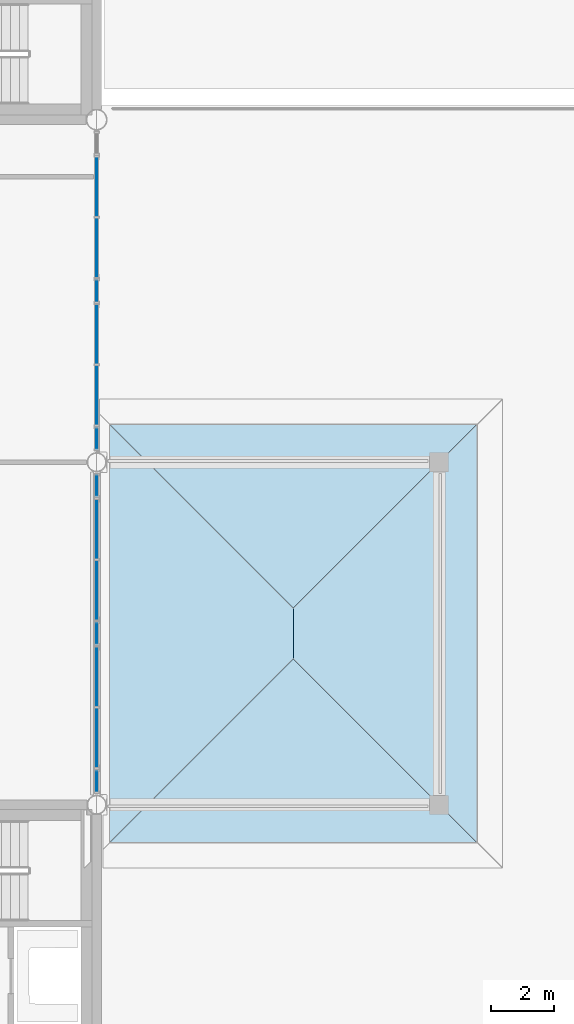
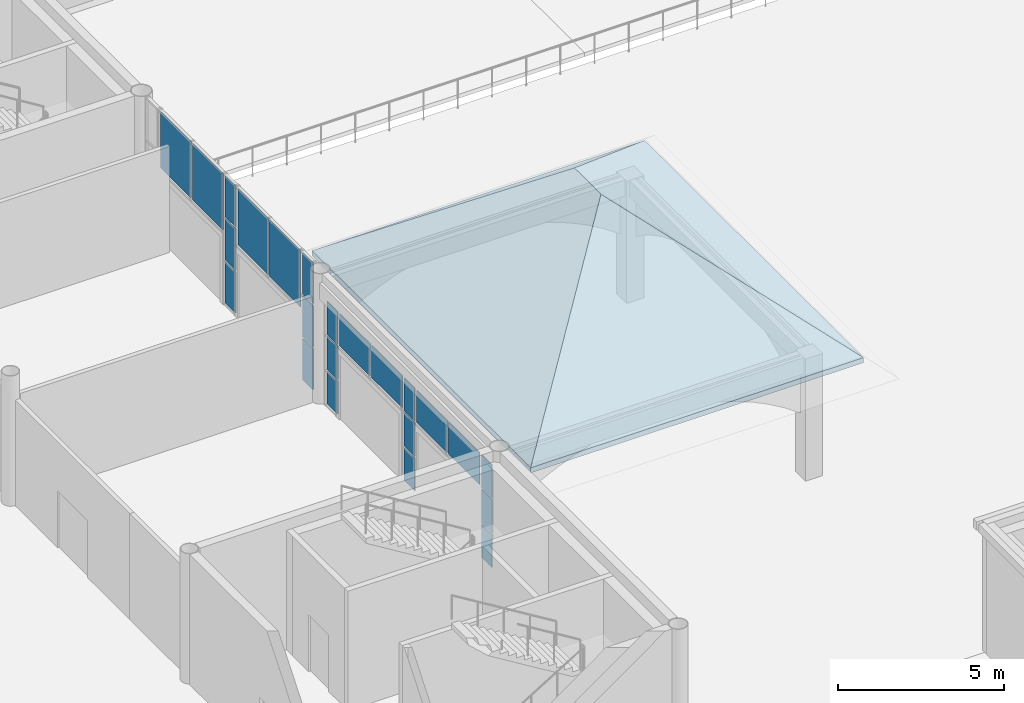
# One storey, part 39 of 91: 23 plates, 4 slabs, 9 elements without a shape of their own.
"""IFC4 building model written with IfcOpenShell, lengths in metres."""

from ifc_helpers import new_model, si_unit, direction, frame, origin, origin_2d, place, context, subcontext, project, spatial, polyline, rectangle, outline, extrude, material, layer, layer_set, type_object, element, aggregate, save


model = new_model("IFC4")

# Units and contexts
model_context = context("Model", 3, precision=1e-05, world=origin(), true_north=direction((0.0, 1.0)))
body_context = subcontext(model_context, "Body", "Model", "MODEL_VIEW")
ifc_project = project(units=[si_unit("LENGTHUNIT", "METRE"), si_unit("AREAUNIT", "SQUARE_METRE"), si_unit("VOLUMEUNIT", "CUBIC_METRE"), si_unit("PLANEANGLEUNIT", "RADIAN"), si_unit("MASSUNIT", "GRAM", prefix="KILO")], contexts=[model_context])

# Site, building, storey
site_placement = place(None, origin())
site = spatial("IfcSite", under=ifc_project, at=site_placement, CompositionType="ELEMENT")
building_placement = place(site_placement, origin())
building = spatial("IfcBuilding", under=site, at=building_placement, Name="Magnolia Steps Interchange", CompositionType="ELEMENT")
storey_placement = place(building_placement, origin())
storey = spatial("IfcBuildingStorey", under=building, at=storey_placement, Name="L00", CompositionType="ELEMENT", Elevation=0.0)

# Curtain wall, plates
ifc_material_1 = material(Name="Powder-coated aluminium and glass", Category="aluminium")
ifc_layer_1 = layer(ifc_material_1, 0.14990234375)
ifc_layer_set_1 = layer_set([ifc_layer_1], Name="Glazed hall curtain wall")
curtain_wall_type = type_object("IfcCurtainWallType", Name="Glazed hall curtain wall", PredefinedType="NOTDEFINED", material=ifc_layer_set_1)
curtain_wall_1_placement = place(storey_placement, origin())
curtain_wall_1 = element("IfcCurtainWall", 1, at=curtain_wall_1_placement, inside=storey, type_object=curtain_wall_type, Name="Hall glazing E2a L00", PredefinedType="NOTDEFINED")
ifc_material_2 = material(Name="Laminated glass", Category="glass")
ifc_layer_2 = layer(ifc_material_2, 0.028076171875)
ifc_layer_set_2 = layer_set([ifc_layer_2], Name="Glass panel 28")
plate_type = type_object("IfcPlateType", Name="Glass panel 28", PredefinedType="CURTAIN_PANEL", material=ifc_layer_set_2)
plate_1_placement = place(storey_placement, frame((118.0, 53.93994140625, 0.06005859375), z_axis=(0.0, 0.0, 1.0), x_axis=(0.0, 1.0, 0.0)))
plate_1 = element("IfcPlate", 2, at=plate_1_placement, type_object=plate_type, Name="CW1 panel 1.1", PredefinedType="CURTAIN_PANEL", context=body_context, shape_type="SweptSolid", body=[
    extrude(rectangle(XDim=0.639892578125, YDim=0.028076171875, at=origin_2d()), origin(), (0.0, 0.0, 1.0), 1.2099609375),
])
plate_2_placement = place(storey_placement, frame((118.0, 53.93994140625, 1.330078125), z_axis=(0.0, 0.0, 1.0), x_axis=(0.0, 1.0, 0.0)))
plate_2 = element("IfcPlate", 3, at=plate_2_placement, type_object=plate_type, Name="CW1 panel 1.2", PredefinedType="CURTAIN_PANEL", context=body_context, shape_type="SweptSolid", body=[
    extrude(rectangle(XDim=0.639892578125, YDim=0.028076171875, at=origin_2d()), origin(), (0.0, 0.0, 1.0), 1.239990234375),
])
plate_3_placement = place(storey_placement, frame((118.0, 53.93994140625, 2.630126953125), z_axis=(0.0, 0.0, 1.0), x_axis=(0.0, 1.0, 0.0)))
plate_3 = element("IfcPlate", 4, at=plate_3_placement, type_object=plate_type, Name="CW1 panel 1.3", PredefinedType="CURTAIN_PANEL", context=body_context, shape_type="SweptSolid", body=[
    extrude(rectangle(XDim=0.639892578125, YDim=0.028076171875, at=origin_2d()), origin(), (0.0, 0.0, 1.0), 1.2099609375),
])
aggregate(curtain_wall_1, [plate_1, plate_2, plate_3])

curtain_wall_2_placement = place(storey_placement, origin())
curtain_wall_2 = element("IfcCurtainWall", 5, at=curtain_wall_2_placement, inside=storey, type_object=curtain_wall_type, Name="Hall entrance fanlight E2-1", PredefinedType="NOTDEFINED")
plate_4_placement = place(storey_placement, frame((118.0, 55.31005859375, 2.66015625), z_axis=(0.0, 0.0, 1.0), x_axis=(0.0, 1.0, 0.0)))
plate_4 = element("IfcPlate", 6, at=plate_4_placement, type_object=plate_type, Name="CW1 panel 1.1", PredefinedType="CURTAIN_PANEL", context=body_context, shape_type="SweptSolid", body=[
    extrude(rectangle(XDim=1.860107421875, YDim=0.028076171875, at=origin_2d()), origin(), (0.0, 0.0, 1.0), 1.179931640625),
])
plate_5_placement = place(storey_placement, frame((118.0, 57.22998046875, 2.66015625), z_axis=(0.0, 0.0, 1.0), x_axis=(0.0, 1.0, 0.0)))
plate_5 = element("IfcPlate", 7, at=plate_5_placement, type_object=plate_type, Name="CW1 panel 2.1", PredefinedType="CURTAIN_PANEL", context=body_context, shape_type="SweptSolid", body=[
    extrude(rectangle(XDim=1.860107421875, YDim=0.028076171875, at=origin_2d()), origin(), (0.0, 0.0, 1.0), 1.179931640625),
])
aggregate(curtain_wall_2, [plate_4, plate_5])

curtain_wall_3_placement = place(storey_placement, origin())
curtain_wall_3 = element("IfcCurtainWall", 8, at=curtain_wall_3_placement, inside=storey, type_object=curtain_wall_type, Name="Hall glazing E2b L00", PredefinedType="NOTDEFINED")
plate_6_placement = place(storey_placement, frame((118.0, 58.60009765625, 0.06005859375), z_axis=(0.0, 0.0, 1.0), x_axis=(0.0, 1.0, 0.0)))
plate_6 = element("IfcPlate", 9, at=plate_6_placement, type_object=plate_type, Name="CW1 panel 1.1", PredefinedType="CURTAIN_PANEL", context=body_context, shape_type="SweptSolid", body=[
    extrude(rectangle(XDim=0.639892578125, YDim=0.028076171875, at=origin_2d()), origin(), (0.0, 0.0, 1.0), 1.2099609375),
])
plate_7_placement = place(storey_placement, frame((118.0, 58.60009765625, 1.330078125), z_axis=(0.0, 0.0, 1.0), x_axis=(0.0, 1.0, 0.0)))
plate_7 = element("IfcPlate", 10, at=plate_7_placement, type_object=plate_type, Name="CW1 panel 1.2", PredefinedType="CURTAIN_PANEL", context=body_context, shape_type="SweptSolid", body=[
    extrude(rectangle(XDim=0.639892578125, YDim=0.028076171875, at=origin_2d()), origin(), (0.0, 0.0, 1.0), 1.239990234375),
])
plate_8_placement = place(storey_placement, frame((118.0, 58.60009765625, 2.630126953125), z_axis=(0.0, 0.0, 1.0), x_axis=(0.0, 1.0, 0.0)))
plate_8 = element("IfcPlate", 11, at=plate_8_placement, type_object=plate_type, Name="CW1 panel 1.3", PredefinedType="CURTAIN_PANEL", context=body_context, shape_type="SweptSolid", body=[
    extrude(rectangle(XDim=0.639892578125, YDim=0.028076171875, at=origin_2d()), origin(), (0.0, 0.0, 1.0), 1.2099609375),
])
aggregate(curtain_wall_3, [plate_6, plate_7, plate_8])

curtain_wall_4_placement = place(storey_placement, origin())
curtain_wall_4 = element("IfcCurtainWall", 12, at=curtain_wall_4_placement, inside=storey, type_object=curtain_wall_type, Name="Hall entrance fanlight E2-2", PredefinedType="NOTDEFINED")
plate_9_placement = place(storey_placement, frame((118.0, 59.969970703125, 2.66015625), z_axis=(0.0, 0.0, 1.0), x_axis=(0.0, 1.0, 0.0)))
plate_9 = element("IfcPlate", 13, at=plate_9_placement, type_object=plate_type, Name="CW1 panel 1.1", PredefinedType="CURTAIN_PANEL", context=body_context, shape_type="SweptSolid", body=[
    extrude(rectangle(XDim=1.860107421875, YDim=0.028076171875, at=origin_2d()), origin(), (0.0, 0.0, 1.0), 1.179931640625),
])
plate_10_placement = place(storey_placement, frame((118.0, 61.889892578125, 2.66015625), z_axis=(0.0, 0.0, 1.0), x_axis=(0.0, 1.0, 0.0)))
plate_10 = element("IfcPlate", 14, at=plate_10_placement, type_object=plate_type, Name="CW1 panel 2.1", PredefinedType="CURTAIN_PANEL", context=body_context, shape_type="SweptSolid", body=[
    extrude(rectangle(XDim=1.860107421875, YDim=0.028076171875, at=origin_2d()), origin(), (0.0, 0.0, 1.0), 1.179931640625),
])
aggregate(curtain_wall_4, [plate_9, plate_10])

curtain_wall_5_placement = place(storey_placement, origin())
curtain_wall_5 = element("IfcCurtainWall", 15, at=curtain_wall_5_placement, inside=storey, type_object=curtain_wall_type, Name="Hall glazing E2z L00", PredefinedType="NOTDEFINED")
plate_11_placement = place(storey_placement, frame((118.0, 63.260009765625, 0.06005859375), z_axis=(0.0, 0.0, 1.0), x_axis=(0.0, 1.0, 0.0)))
plate_11 = element("IfcPlate", 16, at=plate_11_placement, type_object=plate_type, Name="CW1 panel 1.1", PredefinedType="CURTAIN_PANEL", context=body_context, shape_type="SweptSolid", body=[
    extrude(rectangle(XDim=0.639892578125, YDim=0.028076171875, at=origin_2d()), origin(), (0.0, 0.0, 1.0), 1.2099609375),
])
plate_12_placement = place(storey_placement, frame((118.0, 63.260009765625, 1.330078125), z_axis=(0.0, 0.0, 1.0), x_axis=(0.0, 1.0, 0.0)))
plate_12 = element("IfcPlate", 17, at=plate_12_placement, type_object=plate_type, Name="CW1 panel 1.2", PredefinedType="CURTAIN_PANEL", context=body_context, shape_type="SweptSolid", body=[
    extrude(rectangle(XDim=0.639892578125, YDim=0.028076171875, at=origin_2d()), origin(), (0.0, 0.0, 1.0), 1.239990234375),
])
plate_13_placement = place(storey_placement, frame((118.0, 63.260009765625, 2.630126953125), z_axis=(0.0, 0.0, 1.0), x_axis=(0.0, 1.0, 0.0)))
plate_13 = element("IfcPlate", 18, at=plate_13_placement, type_object=plate_type, Name="CW1 panel 1.3", PredefinedType="CURTAIN_PANEL", context=body_context, shape_type="SweptSolid", body=[
    extrude(rectangle(XDim=0.639892578125, YDim=0.028076171875, at=origin_2d()), origin(), (0.0, 0.0, 1.0), 1.2099609375),
])
aggregate(curtain_wall_5, [plate_11, plate_12, plate_13])

curtain_wall_6_placement = place(storey_placement, origin())
curtain_wall_6 = element("IfcCurtainWall", 19, at=curtain_wall_6_placement, inside=storey, type_object=curtain_wall_type, Name="Hall glazing E3a L00", PredefinedType="NOTDEFINED")
plate_14_placement = place(storey_placement, frame((118.0, 64.739990234375, 0.06005859375), z_axis=(0.0, 0.0, 1.0), x_axis=(0.0, 1.0, 0.0)))
plate_14 = element("IfcPlate", 20, at=plate_14_placement, type_object=plate_type, Name="CW1 panel 1.1", PredefinedType="CURTAIN_PANEL", context=body_context, shape_type="SweptSolid", body=[
    extrude(rectangle(XDim=0.639892578125, YDim=0.028076171875, at=origin_2d()), origin(), (0.0, 0.0, 1.0), 1.510009765625),
])
plate_15_placement = place(storey_placement, frame((118.0, 64.739990234375, 1.6298828125), z_axis=(0.0, 0.0, 1.0), x_axis=(0.0, 1.0, 0.0)))
plate_15 = element("IfcPlate", 21, at=plate_15_placement, type_object=plate_type, Name="CW1 panel 1.2", PredefinedType="CURTAIN_PANEL", context=body_context, shape_type="SweptSolid", body=[
    extrude(rectangle(XDim=0.639892578125, YDim=0.028076171875, at=origin_2d()), origin(), (0.0, 0.0, 1.0), 1.5400390625),
])
plate_16_placement = place(storey_placement, frame((118.0, 64.739990234375, 3.22998046875), z_axis=(0.0, 0.0, 1.0), x_axis=(0.0, 1.0, 0.0)))
plate_16 = element("IfcPlate", 22, at=plate_16_placement, type_object=plate_type, Name="CW1 panel 1.3", PredefinedType="CURTAIN_PANEL", context=body_context, shape_type="SweptSolid", body=[
    extrude(rectangle(XDim=0.639892578125, YDim=0.028076171875, at=origin_2d()), origin(), (0.0, 0.0, 1.0), 1.510009765625),
])
aggregate(curtain_wall_6, [plate_14, plate_15, plate_16])

curtain_wall_7_placement = place(storey_placement, origin())
curtain_wall_7 = element("IfcCurtainWall", 23, at=curtain_wall_7_placement, inside=storey, type_object=curtain_wall_type, Name="Hall entrance fanlight E3-1", PredefinedType="NOTDEFINED")
plate_17_placement = place(storey_placement, frame((118.0, 66.110107421875, 2.659912109375), z_axis=(0.0, 0.0, 1.0), x_axis=(0.0, 1.0, 0.0)))
plate_17 = element("IfcPlate", 24, at=plate_17_placement, type_object=plate_type, Name="CW1 panel 1.1", PredefinedType="CURTAIN_PANEL", context=body_context, shape_type="SweptSolid", body=[
    extrude(rectangle(XDim=1.860107421875, YDim=0.028076171875, at=origin_2d()), origin(), (0.0, 0.0, 1.0), 2.080078125),
])
plate_18_placement = place(storey_placement, frame((118.0, 68.030029296875, 2.659912109375), z_axis=(0.0, 0.0, 1.0), x_axis=(0.0, 1.0, 0.0)))
plate_18 = element("IfcPlate", 25, at=plate_18_placement, type_object=plate_type, Name="CW1 panel 2.1", PredefinedType="CURTAIN_PANEL", context=body_context, shape_type="SweptSolid", body=[
    extrude(rectangle(XDim=1.860107421875, YDim=0.028076171875, at=origin_2d()), origin(), (0.0, 0.0, 1.0), 2.080078125),
])
aggregate(curtain_wall_7, [plate_17, plate_18])

curtain_wall_8_placement = place(storey_placement, origin())
curtain_wall_8 = element("IfcCurtainWall", 26, at=curtain_wall_8_placement, inside=storey, type_object=curtain_wall_type, Name="Hall glazing E3b L00", PredefinedType="NOTDEFINED")
plate_19_placement = place(storey_placement, frame((118.0, 69.39990234375, 0.06005859375), z_axis=(0.0, 0.0, 1.0), x_axis=(0.0, 1.0, 0.0)))
plate_19 = element("IfcPlate", 27, at=plate_19_placement, type_object=plate_type, Name="CW1 panel 1.1", PredefinedType="CURTAIN_PANEL", context=body_context, shape_type="SweptSolid", body=[
    extrude(rectangle(XDim=0.639892578125, YDim=0.028076171875, at=origin_2d()), origin(), (0.0, 0.0, 1.0), 1.510009765625),
])
plate_20_placement = place(storey_placement, frame((118.0, 69.39990234375, 1.6298828125), z_axis=(0.0, 0.0, 1.0), x_axis=(0.0, 1.0, 0.0)))
plate_20 = element("IfcPlate", 28, at=plate_20_placement, type_object=plate_type, Name="CW1 panel 1.2", PredefinedType="CURTAIN_PANEL", context=body_context, shape_type="SweptSolid", body=[
    extrude(rectangle(XDim=0.639892578125, YDim=0.028076171875, at=origin_2d()), origin(), (0.0, 0.0, 1.0), 1.5400390625),
])
plate_21_placement = place(storey_placement, frame((118.0, 69.39990234375, 3.22998046875), z_axis=(0.0, 0.0, 1.0), x_axis=(0.0, 1.0, 0.0)))
plate_21 = element("IfcPlate", 29, at=plate_21_placement, type_object=plate_type, Name="CW1 panel 1.3", PredefinedType="CURTAIN_PANEL", context=body_context, shape_type="SweptSolid", body=[
    extrude(rectangle(XDim=0.639892578125, YDim=0.028076171875, at=origin_2d()), origin(), (0.0, 0.0, 1.0), 1.510009765625),
])
aggregate(curtain_wall_8, [plate_19, plate_20, plate_21])

curtain_wall_9_placement = place(storey_placement, origin())
curtain_wall_9 = element("IfcCurtainWall", 30, at=curtain_wall_9_placement, inside=storey, type_object=curtain_wall_type, Name="Hall entrance fanlight E3-2", PredefinedType="NOTDEFINED")
plate_22_placement = place(storey_placement, frame((118.0, 70.77001953125, 2.659912109375), z_axis=(0.0, 0.0, 1.0), x_axis=(0.0, 1.0, 0.0)))
plate_22 = element("IfcPlate", 31, at=plate_22_placement, type_object=plate_type, Name="CW1 panel 1.1", PredefinedType="CURTAIN_PANEL", context=body_context, shape_type="SweptSolid", body=[
    extrude(rectangle(XDim=1.860107421875, YDim=0.028076171875, at=origin_2d()), origin(), (0.0, 0.0, 1.0), 2.080078125),
])
plate_23_placement = place(storey_placement, frame((118.0, 72.68994140625, 2.659912109375), z_axis=(0.0, 0.0, 1.0), x_axis=(0.0, 1.0, 0.0)))
plate_23 = element("IfcPlate", 32, at=plate_23_placement, type_object=plate_type, Name="CW1 panel 2.1", PredefinedType="CURTAIN_PANEL", context=body_context, shape_type="SweptSolid", body=[
    extrude(rectangle(XDim=1.860107421875, YDim=0.028076171875, at=origin_2d()), origin(), (0.0, 0.0, 1.0), 2.080078125),
])
aggregate(curtain_wall_9, [plate_22, plate_23])

# Slabs
ifc_material_3 = material(Name="Concrete C40", Category="concrete")
ifc_layer_3 = layer(ifc_material_3, 0.14990234375)
ifc_layer_set_3 = layer_set([ifc_layer_3], Name="Pavilion roof slab 150")
slab_type = type_object("IfcSlabType", Name="Pavilion roof slab 150", PredefinedType="ROOF", material=ifc_layer_set_3)
for number, where, z_axis, x_axis, name in (
    (33, (130.0, 52.0, 4.577880859375), (0.615661421178, 0.0, 0.788010795912), (0.0, 1.0, 0.0), "Portico roof slab PT-E2 1"),
    (34, (118.39990234375, 65.199951171875, 4.577880859375), (-0.615661421178, 0.0, 0.788010795912), (0.0, -1.0, 0.0), "Portico roof slab PT-E2 2"),
):
    element("IfcSlab", number, at=place(storey_placement, frame(where, z_axis=z_axis, x_axis=x_axis)), inside=storey, type_object=slab_type, Name=name, PredefinedType="ROOF", context=body_context, shape_type="SweptSolid", body=[
        extrude(outline(polyline([(0.0, 0.0), (13.199951172, 0.0), (7.399902344, 7.360367216), (5.800048828, 7.360367216), (0.0, 0.0)])), origin(), (0.0, -0.615661421178, -0.788010795912), 0.1904296875),
    ])
for number, where, z_axis, x_axis, name in (
    (35, (118.39990234375, 52.0, 4.577880859375), (0.0, -0.615661421178, 0.788010795912), (1.0, 0.0, 0.0), "Portico roof slab PT-E2 3"),
    (36, (130.0, 65.199951171875, 4.577880859375), (0.0, 0.615661421178, 0.788010795912), (-1.0, 0.0, 0.0), "Portico roof slab PT-E2 4"),
):
    element("IfcSlab", number, at=place(storey_placement, frame(where, z_axis=z_axis, x_axis=x_axis)), inside=storey, type_object=slab_type, Name=name, PredefinedType="ROOF", context=body_context, shape_type="SweptSolid", body=[
        extrude(outline(polyline([(0.0, 0.0), (11.600097656, 0.0), (5.800048828, 7.360367216), (0.0, 0.0)])), origin(), (0.0, -0.615661421178, -0.788010795912), 0.1904296875),
    ])

save(model, "model.ifc")
